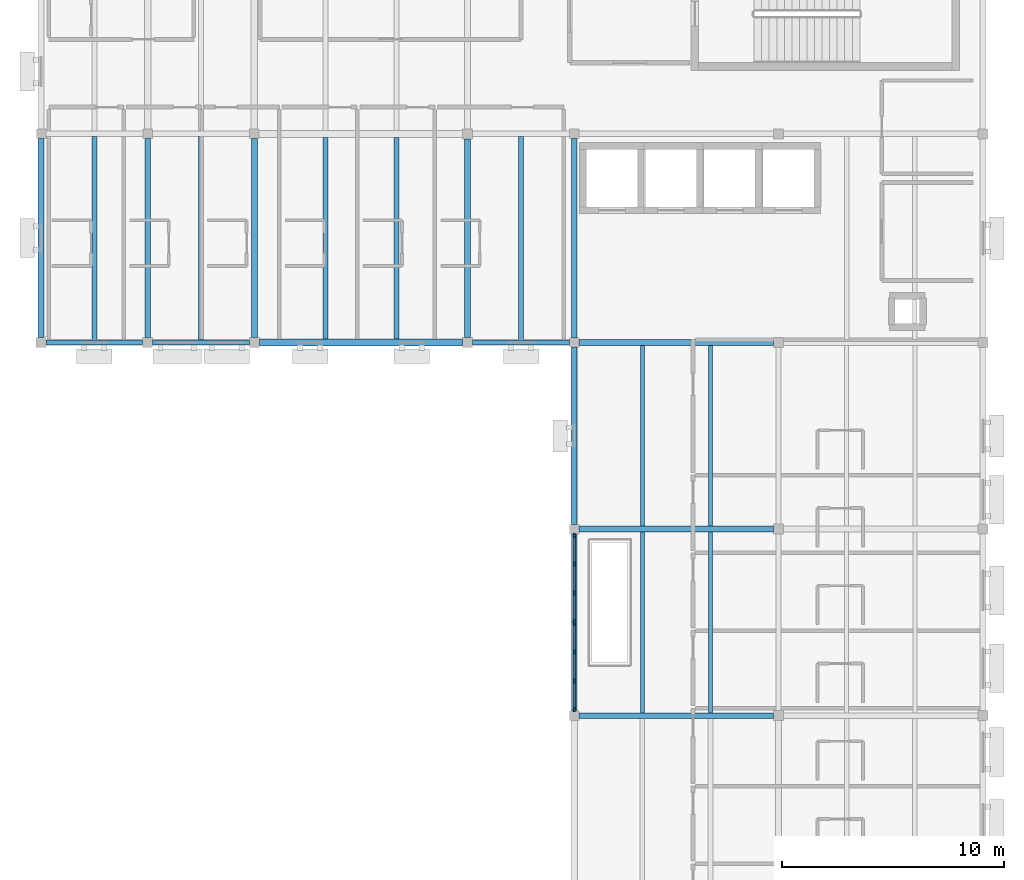
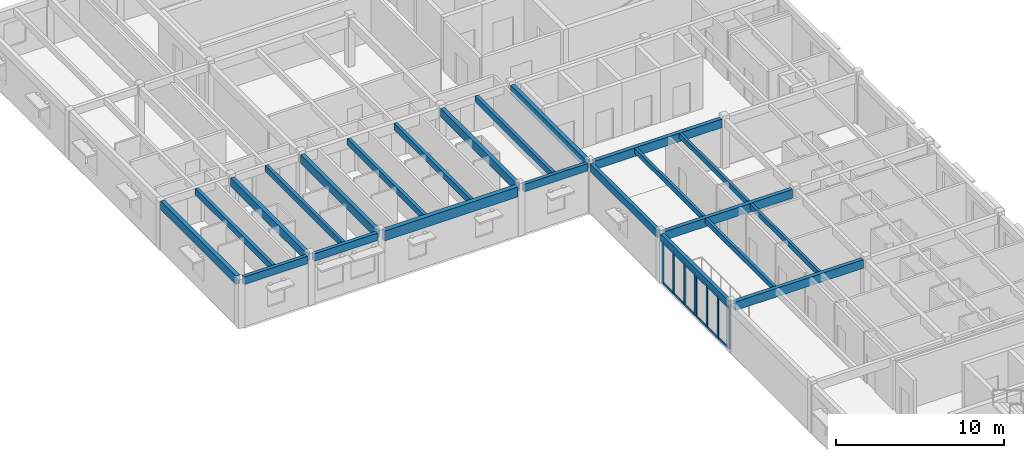
# One storey, part 2 of 17: 23 beams, 20 members, 2 elements without a shape of their own.
"""IFC4 building model written with IfcOpenShell, lengths in metres."""

from ifc_helpers import new_model, si_unit, direction, frame, origin, origin_2d, place, context, subcontext, project, spatial, rectangle, extrude, material, material_profile, profile_set, type_object, element, aggregate, save


model = new_model("IFC4")

# Units and contexts
model_context = context("Model", 3, precision=1e-05, world=origin(), true_north=direction((0.0, 1.0)))
body_context = subcontext(model_context, "Body", "Model", "MODEL_VIEW")
ifc_project = project(units=[si_unit("LENGTHUNIT", "METRE"), si_unit("AREAUNIT", "SQUARE_METRE"), si_unit("VOLUMEUNIT", "CUBIC_METRE"), si_unit("PLANEANGLEUNIT", "RADIAN"), si_unit("MASSUNIT", "GRAM", prefix="KILO")], contexts=[model_context])

# Site, building, storey
site_placement = place(None, origin())
site = spatial("IfcSite", under=ifc_project, at=site_placement, CompositionType="ELEMENT")
building_placement = place(site_placement, origin())
building = spatial("IfcBuilding", under=site, at=building_placement, Name="Veldera Park Congress Hotel", CompositionType="ELEMENT")
storey_placement = place(building_placement, frame((0.0, 0.0, 35.199951171875)))
storey = spatial("IfcBuildingStorey", under=building, at=storey_placement, Name="L08", CompositionType="ELEMENT", Elevation=35.199951171875)

# Beams
ifc_material_1 = material(Name="Glulam GL28h (NDS 24F-V4)", Category="wood")
ifc_material_profile_1 = material_profile(ifc_material_1, rectangle(XDim=0.239990234375, YDim=0.5400390625, at=origin_2d()), Name="GL28h 240x540")
ifc_profile_set_1 = profile_set([ifc_material_profile_1], Name="Glulam GL28h (NDS 24F-V4)")
beam_type_1 = type_object("IfcBeamType", Name="BM-GL540", PredefinedType="BEAM", material=ifc_profile_set_1)
for number, where, z_axis, x_axis, name in (
    (1, (41.824951171875, 27.0, 3.295166015625), (1.0, 0.0, 0.0), (0.0, 1.0, 0.0), "L08 Girder BM-GL540 1743"),
    (2, (46.625, 27.0, 3.295166015625), (1.0, 0.0, 0.0), (0.0, 1.0, 0.0), "L08 Girder BM-GL540 1744"),
):
    element("IfcBeam", number, at=place(storey_placement, frame(where, z_axis=z_axis, x_axis=x_axis)), inside=storey, type_object=beam_type_1, Name=name, PredefinedType="BEAM", context=body_context, shape_type="SweptSolid", body=[
        extrude(rectangle(XDim=0.239990234375, YDim=0.5400390625, at=origin_2d()), origin(), (0.0, 0.0, 1.0), 4.35009765625),
    ])
beam_1_placement = place(storey_placement, frame((61.02490234375, 27.0, 3.295166015625), z_axis=(1.0, 0.0, 0.0), x_axis=(0.0, 1.0, 0.0)))
element("IfcBeam", 3, at=beam_1_placement, inside=storey, type_object=beam_type_1, Name="L08 Girder BM-GL540 1746", PredefinedType="BEAM", context=body_context, shape_type="SweptSolid", body=[
    extrude(rectangle(XDim=0.239990234375, YDim=0.5400390625, at=origin_2d()), origin(), (0.0, 0.0, 1.0), 4.364990234375),
])
for number, where, z_axis, x_axis, name in (
    (4, (65.60009765625, 10.409912109375, 3.295166015625), (0.0, 1.0, 0.0), (-1.0, 0.0, 0.0), "L08 Girder BM-GL540 1779"),
    (5, (65.60009765625, 18.81005859375, 3.295166015625), (0.0, 1.0, 0.0), (-1.0, 0.0, 0.0), "L08 Girder BM-GL540 1780"),
):
    element("IfcBeam", number, at=place(storey_placement, frame(where, z_axis=z_axis, x_axis=x_axis)), inside=storey, type_object=beam_type_1, Name=name, PredefinedType="BEAM", context=body_context, shape_type="SweptSolid", body=[
        extrude(rectangle(XDim=0.239990234375, YDim=0.5400390625, at=origin_2d()), origin(), (0.0, 0.0, 1.0), 7.97998046875),
    ])
ifc_material_profile_2 = material_profile(ifc_material_1, rectangle(XDim=0.264892578125, YDim=0.6201171875, at=origin_2d()), Name="GL28h 265x620")
ifc_profile_set_2 = profile_set([ifc_material_profile_2], Name="Glulam GL28h (NDS 24F-V4)")
beam_type_2 = type_object("IfcBeamType", Name="BM-GL620", PredefinedType="BEAM", material=ifc_profile_set_2)
for number, where, z_axis, x_axis, name in (
    (6, (65.81005859375, 10.199951171875, 3.255126953125), (1.0, 0.0, 0.0), (0.0, 1.0, 0.0), "L08 Girder BM-GL620 1739"),
    (7, (65.81005859375, 18.60009765625, 3.255126953125), (1.0, 0.0, 0.0), (0.0, 1.0, 0.0), "L08 Girder BM-GL620 1741"),
    (8, (65.81005859375, 27.0, 3.255126953125), (1.0, 0.0, 0.0), (0.0, 1.0, 0.0), "L08 Girder BM-GL620 1747"),
):
    element("IfcBeam", number, at=place(storey_placement, frame(where, z_axis=z_axis, x_axis=x_axis)), inside=storey, type_object=beam_type_2, Name=name, PredefinedType="BEAM", context=body_context, shape_type="SweptSolid", body=[
        extrude(rectangle(XDim=0.264892578125, YDim=0.6201171875, at=origin_2d()), origin(), (0.0, 0.0, 1.0), 8.764892578125),
    ])
for number, where, z_axis, x_axis, name in (
    (9, (41.60009765625, 27.22509765625, 3.255126953125), (0.0, 1.0, 0.0), (-1.0, 0.0, 0.0), "L08 Girder BM-GL620 1765"),
    (10, (46.39990234375, 27.22509765625, 3.255126953125), (0.0, 1.0, 0.0), (-1.0, 0.0, 0.0), "L08 Girder BM-GL620 1768"),
    (11, (51.199951171875, 27.22509765625, 3.255126953125), (0.0, 1.0, 0.0), (-1.0, 0.0, 0.0), "L08 Girder BM-GL620 1771"),
):
    element("IfcBeam", number, at=place(storey_placement, frame(where, z_axis=z_axis, x_axis=x_axis)), inside=storey, type_object=beam_type_2, Name=name, PredefinedType="BEAM", context=body_context, shape_type="SweptSolid", body=[
        extrude(rectangle(XDim=0.264892578125, YDim=0.6201171875, at=origin_2d()), origin(), (0.0, 0.0, 1.0), 8.96484375),
    ])
beam_2_placement = place(storey_placement, frame((60.800048828125, 27.22509765625, 3.255126953125), z_axis=(0.0, 1.0, 0.0), x_axis=(-1.0, 0.0, 0.0)))
element("IfcBeam", 12, at=beam_2_placement, inside=storey, type_object=beam_type_2, Name="L08 Girder BM-GL620 1774", PredefinedType="BEAM", context=body_context, shape_type="SweptSolid", body=[
    extrude(rectangle(XDim=0.264892578125, YDim=0.6201171875, at=origin_2d()), origin(), (0.0, 0.0, 1.0), 8.949951171875),
])
beam_3_placement = place(storey_placement, frame((65.60009765625, 27.2099609375, 3.255126953125), z_axis=(0.0, 1.0, 0.0), x_axis=(-1.0, 0.0, 0.0)))
element("IfcBeam", 13, at=beam_3_placement, inside=storey, type_object=beam_type_2, Name="L08 Girder BM-GL620 1781", PredefinedType="BEAM", context=body_context, shape_type="SweptSolid", body=[
    extrude(rectangle(XDim=0.264892578125, YDim=0.6201171875, at=origin_2d()), origin(), (0.0, 0.0, 1.0), 8.97998046875),
])
ifc_material_profile_3 = material_profile(ifc_material_1, rectangle(XDim=0.31494140625, YDim=0.719970703125, at=origin_2d()), Name="GL28h 315x720")
ifc_profile_set_3 = profile_set([ifc_material_profile_3], Name="Glulam GL28h (NDS 24F-V4)")
beam_type_3 = type_object("IfcBeamType", Name="BM-GL720", PredefinedType="BEAM", material=ifc_profile_set_3)
beam_4_placement = place(storey_placement, frame((51.425048828125, 27.0, 3.205078125), z_axis=(1.0, 0.0, 0.0), x_axis=(0.0, 1.0, 0.0)))
element("IfcBeam", 14, at=beam_4_placement, inside=storey, type_object=beam_type_3, Name="L08 Girder BM-GL720 1745", PredefinedType="BEAM", context=body_context, shape_type="SweptSolid", body=[
    extrude(rectangle(XDim=0.31494140625, YDim=0.719970703125, at=origin_2d()), origin(), (0.0, 0.0, 1.0), 9.14990234375),
])

# Curtain wall, members
ifc_material_2 = material(Name="Low-E Triple Insulating Glass Unit (SHGC 0.22)", Category="glass")
curtain_wall_type = type_object("IfcCurtainWallType", Name="CW-HTL", PredefinedType="NOTDEFINED", material=ifc_material_2)
curtain_wall_1_placement = place(storey_placement, origin())
curtain_wall_1 = element("IfcCurtainWall", 15, at=curtain_wall_1_placement, inside=storey, type_object=curtain_wall_type, Name="L08 Curtain Wall CW3-HTLW-L08-120", PredefinedType="NOTDEFINED")
ifc_material_3 = material(Name="Anodised Aluminium Alloy 6063-T6", Category="aluminium")
ifc_material_profile_4 = material_profile(ifc_material_3, rectangle(XDim=0.074951171875, YDim=0.199951171875, at=origin_2d()), Name="ALU 75x200")
ifc_profile_set_4 = profile_set([ifc_material_profile_4], Name="Anodised Aluminium Alloy 6063-T6")
member_type_1 = type_object("IfcMemberType", Name="CWM-200", PredefinedType="MULLION", material=ifc_profile_set_4)
member_1_placement = place(storey_placement, frame((65.60009765625, 18.3125, 0.0), z_axis=(0.0, 0.0, 1.0), x_axis=(1.0, 0.0, 0.0)))
member_1 = element("IfcMember", 16, at=member_1_placement, type_object=member_type_1, Name="CW-HTL mullion 1", PredefinedType="MULLION", context=body_context, shape_type="SweptSolid", body=[
    extrude(rectangle(XDim=0.074951171875, YDim=0.199951171875, at=origin_2d()), origin(), (0.0, 0.0, 1.0), 3.02001953125),
])
member_2_placement = place(storey_placement, frame((65.60009765625, 17.038330078125, 0.0), z_axis=(0.0, 0.0, 1.0), x_axis=(1.0, 0.0, 0.0)))
member_2 = element("IfcMember", 17, at=member_2_placement, type_object=member_type_1, Name="CW-HTL mullion 2", PredefinedType="MULLION", context=body_context, shape_type="SweptSolid", body=[
    extrude(rectangle(XDim=0.074951171875, YDim=0.199951171875, at=origin_2d()), origin(), (0.0, 0.0, 1.0), 3.02001953125),
])
member_3_placement = place(storey_placement, frame((65.60009765625, 15.7265625, 0.0), z_axis=(0.0, 0.0, 1.0), x_axis=(1.0, 0.0, 0.0)))
member_3 = element("IfcMember", 18, at=member_3_placement, type_object=member_type_1, Name="CW-HTL mullion 3", PredefinedType="MULLION", context=body_context, shape_type="SweptSolid", body=[
    extrude(rectangle(XDim=0.074951171875, YDim=0.199951171875, at=origin_2d()), origin(), (0.0, 0.0, 1.0), 3.02001953125),
])
member_4_placement = place(storey_placement, frame((65.60009765625, 14.452392578125, 0.0), z_axis=(0.0, 0.0, 1.0), x_axis=(1.0, 0.0, 0.0)))
member_4 = element("IfcMember", 19, at=member_4_placement, type_object=member_type_1, Name="CW-HTL mullion 4", PredefinedType="MULLION", context=body_context, shape_type="SweptSolid", body=[
    extrude(rectangle(XDim=0.074951171875, YDim=0.199951171875, at=origin_2d()), origin(), (0.0, 0.0, 1.0), 3.02001953125),
])

curtain_wall_2_placement = place(storey_placement, origin())
curtain_wall_2 = element("IfcCurtainWall", 20, at=curtain_wall_2_placement, inside=storey, type_object=curtain_wall_type, Name="L08 Curtain Wall CW3-HTLW-L08-121", PredefinedType="NOTDEFINED")
member_5_placement = place(storey_placement, frame((65.60009765625, 14.347412109375, 0.0), z_axis=(0.0, 0.0, 1.0), x_axis=(1.0, 0.0, 0.0)))
member_5 = element("IfcMember", 21, at=member_5_placement, type_object=member_type_1, Name="CW-HTL mullion 1", PredefinedType="MULLION", context=body_context, shape_type="SweptSolid", body=[
    extrude(rectangle(XDim=0.074951171875, YDim=0.199951171875, at=origin_2d()), origin(), (0.0, 0.0, 1.0), 3.02001953125),
])
member_6_placement = place(storey_placement, frame((65.60009765625, 13.0732421875, 0.0), z_axis=(0.0, 0.0, 1.0), x_axis=(1.0, 0.0, 0.0)))
member_6 = element("IfcMember", 22, at=member_6_placement, type_object=member_type_1, Name="CW-HTL mullion 2", PredefinedType="MULLION", context=body_context, shape_type="SweptSolid", body=[
    extrude(rectangle(XDim=0.074951171875, YDim=0.199951171875, at=origin_2d()), origin(), (0.0, 0.0, 1.0), 3.02001953125),
])
member_7_placement = place(storey_placement, frame((65.60009765625, 11.76171875, 0.0), z_axis=(0.0, 0.0, 1.0), x_axis=(1.0, 0.0, 0.0)))
member_7 = element("IfcMember", 23, at=member_7_placement, type_object=member_type_1, Name="CW-HTL mullion 3", PredefinedType="MULLION", context=body_context, shape_type="SweptSolid", body=[
    extrude(rectangle(XDim=0.074951171875, YDim=0.199951171875, at=origin_2d()), origin(), (0.0, 0.0, 1.0), 3.02001953125),
])
member_8_placement = place(storey_placement, frame((65.60009765625, 10.487548828125, 0.0), z_axis=(0.0, 0.0, 1.0), x_axis=(1.0, 0.0, 0.0)))
member_8 = element("IfcMember", 24, at=member_8_placement, type_object=member_type_1, Name="CW-HTL mullion 4", PredefinedType="MULLION", context=body_context, shape_type="SweptSolid", body=[
    extrude(rectangle(XDim=0.074951171875, YDim=0.199951171875, at=origin_2d()), origin(), (0.0, 0.0, 1.0), 3.02001953125),
])

# Member
ifc_material_profile_5 = material_profile(ifc_material_3, rectangle(XDim=0.074951171875, YDim=0.14990234375, at=origin_2d()), Name="ALU 75x150")
ifc_profile_set_5 = profile_set([ifc_material_profile_5], Name="Anodised Aluminium Alloy 6063-T6")
member_type_2 = type_object("IfcMemberType", Name="CWT-150", PredefinedType="USERDEFINED", material=ifc_profile_set_5)
member_9_placement = place(storey_placement, frame((65.60009765625, 18.27490234375, 0.03759765625), z_axis=(0.0, -1.0, 0.0), x_axis=(1.0, 0.0, 0.0)))
member_9 = element("IfcMember", 25, at=member_9_placement, type_object=member_type_2, Name="CW-HTL transom 1.1", ObjectType="TRANSOM", PredefinedType="USERDEFINED", context=body_context, shape_type="SweptSolid", body=[
    extrude(rectangle(XDim=0.074951171875, YDim=0.14990234375, at=origin_2d()), origin(), (0.0, 0.0, 1.0), 1.198974609375),
])

member_10_placement = place(storey_placement, frame((65.60009765625, 18.27490234375, 2.982666015625), z_axis=(0.0, -1.0, 0.0), x_axis=(1.0, 0.0, 0.0)))
member_10 = element("IfcMember", 26, at=member_10_placement, type_object=member_type_2, Name="CW-HTL transom 1.2", ObjectType="TRANSOM", PredefinedType="USERDEFINED", context=body_context, shape_type="SweptSolid", body=[
    extrude(rectangle(XDim=0.074951171875, YDim=0.14990234375, at=origin_2d()), origin(), (0.0, 0.0, 1.0), 1.198974609375),
])

member_11_placement = place(storey_placement, frame((65.60009765625, 17.000732421875, 0.03759765625), z_axis=(0.0, -1.0, 0.0), x_axis=(1.0, 0.0, 0.0)))
member_11 = element("IfcMember", 27, at=member_11_placement, type_object=member_type_2, Name="CW-HTL transom 2.1", ObjectType="TRANSOM", PredefinedType="USERDEFINED", context=body_context, shape_type="SweptSolid", body=[
    extrude(rectangle(XDim=0.074951171875, YDim=0.14990234375, at=origin_2d()), origin(), (0.0, 0.0, 1.0), 1.236572265625),
])

member_12_placement = place(storey_placement, frame((65.60009765625, 17.000732421875, 2.982666015625), z_axis=(0.0, -1.0, 0.0), x_axis=(1.0, 0.0, 0.0)))
member_12 = element("IfcMember", 28, at=member_12_placement, type_object=member_type_2, Name="CW-HTL transom 2.2", ObjectType="TRANSOM", PredefinedType="USERDEFINED", context=body_context, shape_type="SweptSolid", body=[
    extrude(rectangle(XDim=0.074951171875, YDim=0.14990234375, at=origin_2d()), origin(), (0.0, 0.0, 1.0), 1.236572265625),
])

member_13_placement = place(storey_placement, frame((65.60009765625, 15.689208984375, 0.03759765625), z_axis=(0.0, -1.0, 0.0), x_axis=(1.0, 0.0, 0.0)))
member_13 = element("IfcMember", 29, at=member_13_placement, type_object=member_type_2, Name="CW-HTL transom 3.1", ObjectType="TRANSOM", PredefinedType="USERDEFINED", context=body_context, shape_type="SweptSolid", body=[
    extrude(rectangle(XDim=0.074951171875, YDim=0.14990234375, at=origin_2d()), origin(), (0.0, 0.0, 1.0), 1.19921875),
])

member_14_placement = place(storey_placement, frame((65.60009765625, 15.689208984375, 2.982666015625), z_axis=(0.0, -1.0, 0.0), x_axis=(1.0, 0.0, 0.0)))
member_14 = element("IfcMember", 30, at=member_14_placement, type_object=member_type_2, Name="CW-HTL transom 3.2", ObjectType="TRANSOM", PredefinedType="USERDEFINED", context=body_context, shape_type="SweptSolid", body=[
    extrude(rectangle(XDim=0.074951171875, YDim=0.14990234375, at=origin_2d()), origin(), (0.0, 0.0, 1.0), 1.19921875),
])

aggregate(curtain_wall_1, [member_1, member_2, member_3, member_4, member_9, member_10, member_11, member_12, member_13, member_14])

member_15_placement = place(storey_placement, frame((65.60009765625, 14.31005859375, 0.03759765625), z_axis=(0.0, -1.0, 0.0), x_axis=(1.0, 0.0, 0.0)))
member_15 = element("IfcMember", 31, at=member_15_placement, type_object=member_type_2, Name="CW-HTL transom 1.1", ObjectType="TRANSOM", PredefinedType="USERDEFINED", context=body_context, shape_type="SweptSolid", body=[
    extrude(rectangle(XDim=0.074951171875, YDim=0.14990234375, at=origin_2d()), origin(), (0.0, 0.0, 1.0), 1.19921875),
])

member_16_placement = place(storey_placement, frame((65.60009765625, 14.31005859375, 2.982666015625), z_axis=(0.0, -1.0, 0.0), x_axis=(1.0, 0.0, 0.0)))
member_16 = element("IfcMember", 32, at=member_16_placement, type_object=member_type_2, Name="CW-HTL transom 1.2", ObjectType="TRANSOM", PredefinedType="USERDEFINED", context=body_context, shape_type="SweptSolid", body=[
    extrude(rectangle(XDim=0.074951171875, YDim=0.14990234375, at=origin_2d()), origin(), (0.0, 0.0, 1.0), 1.19921875),
])

member_17_placement = place(storey_placement, frame((65.60009765625, 13.035888671875, 0.03759765625), z_axis=(0.0, -1.0, 0.0), x_axis=(1.0, 0.0, 0.0)))
member_17 = element("IfcMember", 33, at=member_17_placement, type_object=member_type_2, Name="CW-HTL transom 2.1", ObjectType="TRANSOM", PredefinedType="USERDEFINED", context=body_context, shape_type="SweptSolid", body=[
    extrude(rectangle(XDim=0.074951171875, YDim=0.14990234375, at=origin_2d()), origin(), (0.0, 0.0, 1.0), 1.23681640625),
])

member_18_placement = place(storey_placement, frame((65.60009765625, 13.035888671875, 2.982666015625), z_axis=(0.0, -1.0, 0.0), x_axis=(1.0, 0.0, 0.0)))
member_18 = element("IfcMember", 34, at=member_18_placement, type_object=member_type_2, Name="CW-HTL transom 2.2", ObjectType="TRANSOM", PredefinedType="USERDEFINED", context=body_context, shape_type="SweptSolid", body=[
    extrude(rectangle(XDim=0.074951171875, YDim=0.14990234375, at=origin_2d()), origin(), (0.0, 0.0, 1.0), 1.23681640625),
])

member_19_placement = place(storey_placement, frame((65.60009765625, 11.72412109375, 0.03759765625), z_axis=(0.0, -1.0, 0.0), x_axis=(1.0, 0.0, 0.0)))
member_19 = element("IfcMember", 35, at=member_19_placement, type_object=member_type_2, Name="CW-HTL transom 3.1", ObjectType="TRANSOM", PredefinedType="USERDEFINED", context=body_context, shape_type="SweptSolid", body=[
    extrude(rectangle(XDim=0.074951171875, YDim=0.14990234375, at=origin_2d()), origin(), (0.0, 0.0, 1.0), 1.19921875),
])

member_20_placement = place(storey_placement, frame((65.60009765625, 11.72412109375, 2.982666015625), z_axis=(0.0, -1.0, 0.0), x_axis=(1.0, 0.0, 0.0)))
member_20 = element("IfcMember", 36, at=member_20_placement, type_object=member_type_2, Name="CW-HTL transom 3.2", ObjectType="TRANSOM", PredefinedType="USERDEFINED", context=body_context, shape_type="SweptSolid", body=[
    extrude(rectangle(XDim=0.074951171875, YDim=0.14990234375, at=origin_2d()), origin(), (0.0, 0.0, 1.0), 1.19921875),
])

aggregate(curtain_wall_2, [member_5, member_6, member_7, member_8, member_15, member_16, member_17, member_18, member_19, member_20])

# Beams
ifc_material_profile_6 = material_profile(ifc_material_1, rectangle(XDim=0.179931640625, YDim=0.360107421875, at=origin_2d()), Name="GL28h 180x360")
ifc_profile_set_6 = profile_set([ifc_material_profile_6], Name="Glulam GL28h (NDS 24F-V4)")
beam_type_4 = type_object("IfcBeamType", Name="JST-GL360", PredefinedType="JOIST", material=ifc_profile_set_6)
for number, where, z_axis, x_axis, name in (
    (37, (68.666748046875, 10.33251953125, 3.385009765625), (0.0, 1.0, 0.0), (-1.0, 0.0, 0.0), "L08 Floor Joist JST-GL360 1806"),
    (38, (71.7333984375, 10.33251953125, 3.385009765625), (0.0, 1.0, 0.0), (-1.0, 0.0, 0.0), "L08 Floor Joist JST-GL360 1807"),
    (39, (68.666748046875, 18.732421875, 3.385009765625), (0.0, 1.0, 0.0), (-1.0, 0.0, 0.0), "L08 Floor Joist JST-GL360 1810"),
    (40, (71.7333984375, 18.732421875, 3.385009765625), (0.0, 1.0, 0.0), (-1.0, 0.0, 0.0), "L08 Floor Joist JST-GL360 1811"),
):
    element("IfcBeam", number, at=place(storey_placement, frame(where, z_axis=z_axis, x_axis=x_axis)), inside=storey, type_object=beam_type_4, Name=name, PredefinedType="JOIST", context=body_context, shape_type="SweptSolid", body=[
        extrude(rectangle(XDim=0.179931640625, YDim=0.360107421875, at=origin_2d()), origin(), (0.0, 0.0, 1.0), 8.135009765625),
    ])
ifc_material_profile_7 = material_profile(ifc_material_1, rectangle(XDim=0.215087890625, YDim=0.449951171875, at=origin_2d()), Name="GL28h 215x450")
ifc_profile_set_7 = profile_set([ifc_material_profile_7], Name="Glulam GL28h (NDS 24F-V4)")
beam_type_5 = type_object("IfcBeamType", Name="JST-GL450", PredefinedType="JOIST", material=ifc_profile_set_7)
for number, where, z_axis, x_axis, name in (
    (41, (44.0, 27.1201171875, 3.340087890625), (0.0, 1.0, 0.0), (-1.0, 0.0, 0.0), "L08 Floor Joist JST-GL450 1814"),
    (42, (48.800048828125, 27.1201171875, 3.340087890625), (0.0, 1.0, 0.0), (-1.0, 0.0, 0.0), "L08 Floor Joist JST-GL450 1815"),
):
    element("IfcBeam", number, at=place(storey_placement, frame(where, z_axis=z_axis, x_axis=x_axis)), inside=storey, type_object=beam_type_5, Name=name, PredefinedType="JOIST", context=body_context, shape_type="SweptSolid", body=[
        extrude(rectangle(XDim=0.215087890625, YDim=0.449951171875, at=origin_2d()), origin(), (0.0, 0.0, 1.0), 9.159912109375),
    ])
for number, where, z_axis, x_axis, name in (
    (43, (54.39990234375, 27.157470703125, 3.340087890625), (0.0, 1.0, 0.0), (-1.0, 0.0, 0.0), "L08 Floor Joist JST-GL450 1816"),
    (44, (57.60009765625, 27.157470703125, 3.340087890625), (0.0, 1.0, 0.0), (-1.0, 0.0, 0.0), "L08 Floor Joist JST-GL450 1817"),
):
    element("IfcBeam", number, at=place(storey_placement, frame(where, z_axis=z_axis, x_axis=x_axis)), inside=storey, type_object=beam_type_5, Name=name, PredefinedType="JOIST", context=body_context, shape_type="SweptSolid", body=[
        extrude(rectangle(XDim=0.215087890625, YDim=0.449951171875, at=origin_2d()), origin(), (0.0, 0.0, 1.0), 9.0849609375),
    ])
beam_5_placement = place(storey_placement, frame((63.199951171875, 27.1201171875, 3.340087890625), z_axis=(0.0, 1.0, 0.0), x_axis=(-1.0, 0.0, 0.0)))
element("IfcBeam", 45, at=beam_5_placement, inside=storey, type_object=beam_type_5, Name="L08 Floor Joist JST-GL450 1818", PredefinedType="JOIST", context=body_context, shape_type="SweptSolid", body=[
    extrude(rectangle(XDim=0.215087890625, YDim=0.449951171875, at=origin_2d()), origin(), (0.0, 0.0, 1.0), 9.159912109375),
])

save(model, "model.ifc")
